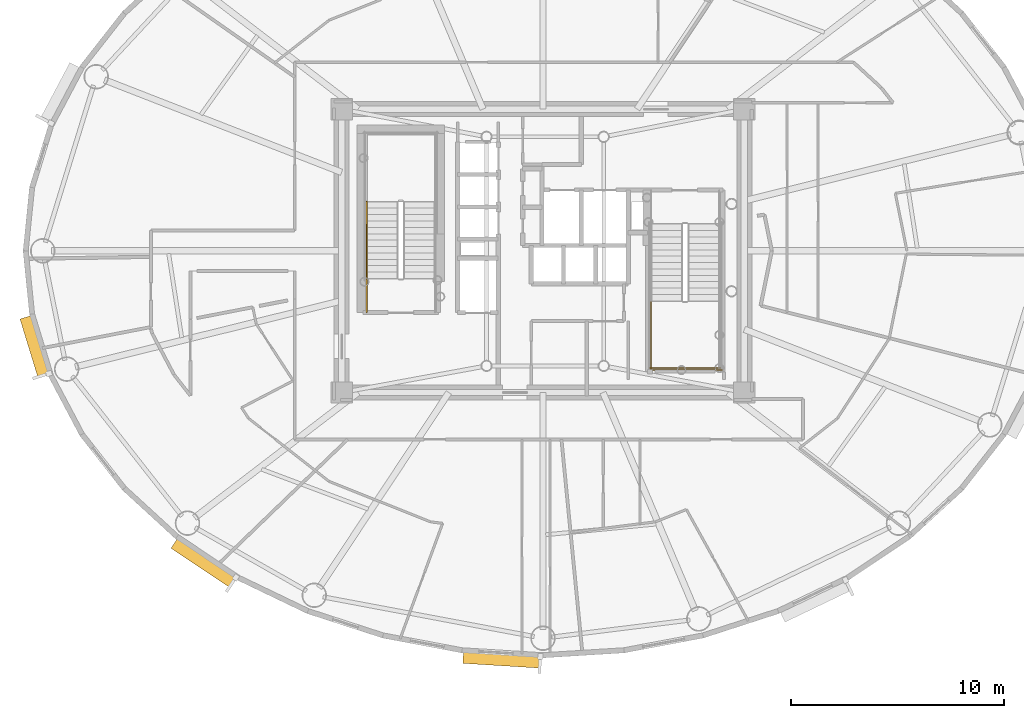
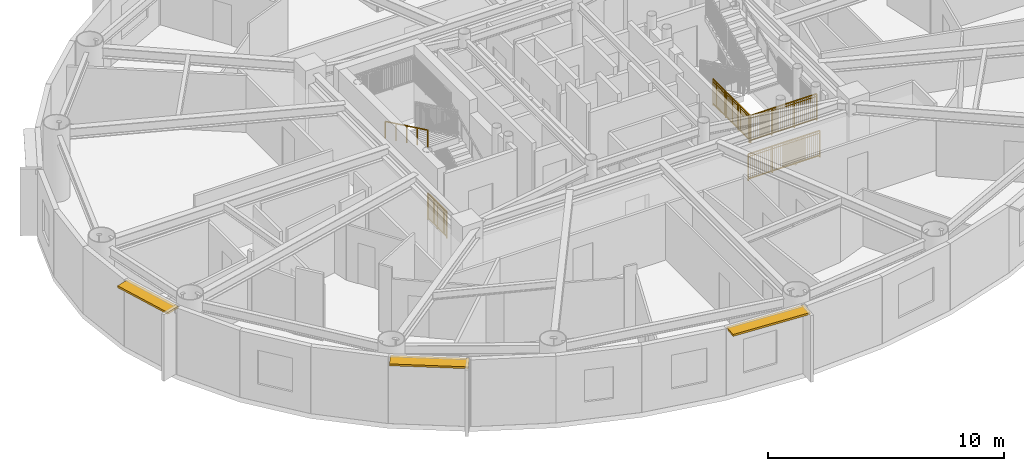
# One storey, part 12 of 18: 5 railings, 3 shading devices.
"""IFC4 building model written with IfcOpenShell, lengths in metres."""

from ifc_helpers import new_model, si_unit, direction, frame, origin, origin_2d, place, context, subcontext, project, spatial, rectangle, extrude, source, transform, mapped, material, layer, layer_set, type_object, element, save


model = new_model("IFC4")

# Units and contexts
model_context = context("Model", 3, precision=1e-05, world=origin(), true_north=direction((0.0, 1.0)))
body_context = subcontext(model_context, "Body", "Model", "MODEL_VIEW")
ifc_project = project(units=[si_unit("LENGTHUNIT", "METRE"), si_unit("AREAUNIT", "SQUARE_METRE"), si_unit("VOLUMEUNIT", "CUBIC_METRE"), si_unit("PLANEANGLEUNIT", "RADIAN"), si_unit("MASSUNIT", "GRAM", prefix="KILO")], contexts=[model_context])

# Site, building, storey
site_placement = place(None, origin())
site = spatial("IfcSite", under=ifc_project, at=site_placement, CompositionType="ELEMENT")
building_placement = place(site_placement, origin())
building = spatial("IfcBuilding", under=site, at=building_placement, Name="Linh Dai School and Residence Tower", CompositionType="ELEMENT")
storey_placement = place(building_placement, frame((0.0, 0.0, 259.050048828125)))
storey = spatial("IfcBuildingStorey", under=building, at=storey_placement, Name="L64", CompositionType="ELEMENT", Elevation=259.050048828125)

# Shading devices
ifc_material_1 = material(Name="Terracotta Ceramic Sunshade", Category="masonry")
ifc_layer = layer(ifc_material_1, 0.10009765625)
ifc_layer_set = layer_set([ifc_layer], Name="Terracotta Ceramic Sunshade")
shading_device_type = type_object("IfcShadingDeviceType", Name="SHD-TC-650", PredefinedType="USERDEFINED", material=ifc_layer_set)
shared_shape_1 = source(origin(), body_context, "Body", "SweptSolid", [
    extrude(rectangle(XDim=2.90380859375, YDim=0.64990234375, at=origin_2d()), origin(), (0.0, 0.0, 1.0), 0.10009765625),
])
shading_device_1_placement = place(storey_placement, frame((12.19384765625, 22.506591796875, 3.329833984375), z_axis=(0.0, 0.0, 1.0), x_axis=(-0.2931574026, 0.956064190994, 0.0)))
element("IfcShadingDevice", 1, at=shading_device_1_placement, inside=storey, type_object=shading_device_type, Name="L64 Terracotta Horizontal Sunshade Band 22", ObjectType="SUNSHADE", PredefinedType="USERDEFINED", context=body_context, shape_type="MappedRepresentation", body=[
    mapped(shared_shape_1, transform((0.0, 0.0, 0.0), x_axis=(1.0, 0.0, 0.0), y_axis=(0.0, 1.0, 0.0), z_axis=(0.0, 0.0, 1.0), scale=1.0)),
])
shared_shape_2 = source(origin(), body_context, "Body", "SweptSolid", [
    extrude(rectangle(XDim=3.3447265625, YDim=0.64990234375, at=origin_2d()), origin(), (0.0, 0.0, 1.0), 0.10009765625),
])
shading_device_2_placement = place(storey_placement, frame((20.11328125, 12.3837890625, 3.329833984375), z_axis=(0.0, 0.0, 1.0), x_axis=(-0.831257719597, 0.555887222025, 0.0)))
element("IfcShadingDevice", 2, at=shading_device_2_placement, inside=storey, type_object=shading_device_type, Name="L64 Terracotta Horizontal Sunshade Band 26", ObjectType="SUNSHADE", PredefinedType="USERDEFINED", context=body_context, shape_type="MappedRepresentation", body=[
    mapped(shared_shape_2, transform((0.0, 0.0, 0.0), x_axis=(1.0, 0.0, 0.0), y_axis=(0.0, 1.0, 0.0), z_axis=(0.0, 0.0, 1.0), scale=1.0)),
])
shared_shape_3 = source(origin(), body_context, "Body", "SweptSolid", [
    extrude(rectangle(XDim=3.656494140625, YDim=0.64990234375, at=origin_2d()), origin(), (0.0, 0.0, 1.0), 0.10009765625),
])
shading_device_3_placement = place(storey_placement, frame((34.08154296875, 7.852783203125, 3.329833984375), z_axis=(0.0, 0.0, 1.0), x_axis=(-0.998106809974, 0.061504437922, 0.0)))
element("IfcShadingDevice", 3, at=shading_device_3_placement, inside=storey, type_object=shading_device_type, Name="L64 Terracotta Horizontal Sunshade Band 30", ObjectType="SUNSHADE", PredefinedType="USERDEFINED", context=body_context, shape_type="MappedRepresentation", body=[
    mapped(shared_shape_3, transform((0.0, 0.0, 0.0), x_axis=(1.0, 0.0, 0.0), y_axis=(0.0, 1.0, 0.0), z_axis=(0.0, 0.0, 1.0), scale=1.0)),
])

# Railings
ifc_material_2 = material(Name="Structural Steel S355JR", Category="steel")
railing_type_1 = type_object("IfcRailingType", Name="RL-ST-GUARD-1400", PredefinedType="GUARDRAIL", material=ifc_material_2)
shared_shape_4 = source(origin(), body_context, "Body", "SweptSolid", [
    extrude(rectangle(XDim=0.048095703125, YDim=0.048095703125, at=origin_2d()), frame((0.0, 0.0, 1.3759765625), z_axis=(0.0, 1.0, 0.0), x_axis=(-1.0, 0.0, 0.0)), (0.0, 0.0, 1.0), 1.599853515625),
    extrude(rectangle(XDim=0.048095703125, YDim=0.048095703125, at=origin_2d()), frame((0.0, 0.0, 0.10009765625), z_axis=(0.0, 1.0, 0.0), x_axis=(-1.0, 0.0, 0.0)), (0.0, 0.0, 1.0), 1.599853515625),
    extrude(rectangle(XDim=0.030029296875, YDim=0.030029296875, at=origin_2d()), frame((0.0, 0.0, 1.239990234375), z_axis=(0.0, 1.0, 0.0), x_axis=(-1.0, 0.0, 0.0)), (0.0, 0.0, 1.0), 1.599853515625),
    extrude(rectangle(XDim=0.02001953125, YDim=0.02001953125, at=origin_2d()), frame((0.0, 0.093994140625, 0.10009765625)), (0.0, 0.0, 1.0), 1.251708984375),
    extrude(rectangle(XDim=0.02001953125, YDim=0.02001953125, at=origin_2d()), frame((0.0, 0.188232421875, 0.10009765625)), (0.0, 0.0, 1.0), 1.251708984375),
    extrude(rectangle(XDim=0.02001953125, YDim=0.02001953125, at=origin_2d()), frame((0.0, 0.2822265625, 0.10009765625)), (0.0, 0.0, 1.0), 1.251708984375),
    extrude(rectangle(XDim=0.02001953125, YDim=0.02001953125, at=origin_2d()), frame((0.0, 0.37646484375, 0.10009765625)), (0.0, 0.0, 1.0), 1.251708984375),
    extrude(rectangle(XDim=0.02001953125, YDim=0.02001953125, at=origin_2d()), frame((0.0, 0.470458984375, 0.10009765625)), (0.0, 0.0, 1.0), 1.251708984375),
    extrude(rectangle(XDim=0.02001953125, YDim=0.02001953125, at=origin_2d()), frame((0.0, 0.564697265625, 0.10009765625)), (0.0, 0.0, 1.0), 1.251708984375),
    extrude(rectangle(XDim=0.02001953125, YDim=0.02001953125, at=origin_2d()), frame((0.0, 0.65869140625, 0.10009765625)), (0.0, 0.0, 1.0), 1.251708984375),
    extrude(rectangle(XDim=0.02001953125, YDim=0.02001953125, at=origin_2d()), frame((0.0, 0.7529296875, 0.10009765625)), (0.0, 0.0, 1.0), 1.251708984375),
    extrude(rectangle(XDim=0.02001953125, YDim=0.02001953125, at=origin_2d()), frame((0.0, 0.846923828125, 0.10009765625)), (0.0, 0.0, 1.0), 1.251708984375),
    extrude(rectangle(XDim=0.02001953125, YDim=0.02001953125, at=origin_2d()), frame((0.0, 0.941162109375, 0.10009765625)), (0.0, 0.0, 1.0), 1.251708984375),
    extrude(rectangle(XDim=0.02001953125, YDim=0.02001953125, at=origin_2d()), frame((0.0, 1.03515625, 0.10009765625)), (0.0, 0.0, 1.0), 1.251708984375),
    extrude(rectangle(XDim=0.02001953125, YDim=0.02001953125, at=origin_2d()), frame((0.0, 1.12939453125, 0.10009765625)), (0.0, 0.0, 1.0), 1.251708984375),
    extrude(rectangle(XDim=0.02001953125, YDim=0.02001953125, at=origin_2d()), frame((0.0, 1.223388671875, 0.10009765625)), (0.0, 0.0, 1.0), 1.251708984375),
    extrude(rectangle(XDim=0.02001953125, YDim=0.02001953125, at=origin_2d()), frame((0.0, 1.317626953125, 0.10009765625)), (0.0, 0.0, 1.0), 1.251708984375),
    extrude(rectangle(XDim=0.02001953125, YDim=0.02001953125, at=origin_2d()), frame((0.0, 1.41162109375, 0.10009765625)), (0.0, 0.0, 1.0), 1.251708984375),
    extrude(rectangle(XDim=0.02001953125, YDim=0.02001953125, at=origin_2d()), frame((0.0, 1.505859375, 0.10009765625)), (0.0, 0.0, 1.0), 1.251708984375),
    extrude(rectangle(XDim=0.0419921875, YDim=0.0419921875, at=origin_2d()), origin(), (0.0, 0.0, 1.0), 1.3759765625),
    extrude(rectangle(XDim=0.0419921875, YDim=0.0419921875, at=origin_2d()), frame((0.0, 0.7998046875, 0.0)), (0.0, 0.0, 1.0), 1.3759765625),
    extrude(rectangle(XDim=0.0419921875, YDim=0.0419921875, at=origin_2d()), frame((0.0, 1.599853515625, 0.0)), (0.0, 0.0, 1.0), 1.3759765625),
])
railing_1_placement = place(storey_placement, frame((27.72998046875, 24.10009765625, 0.0)))
element("IfcRailing", 4, at=railing_1_placement, inside=storey, type_object=railing_type_1, Name="L64 ST1 stair guard 9", PredefinedType="GUARDRAIL", context=body_context, shape_type="MappedRepresentation", body=[
    mapped(shared_shape_4, transform((0.0, 0.0, 0.0), x_axis=(1.0, 0.0, 0.0), y_axis=(0.0, 1.0, 0.0), z_axis=(0.0, 0.0, 1.0), scale=1.0)),
])
ifc_material_3 = material(Name="Brushed Stainless Steel Handrail", Category="steel")
railing_type_2 = type_object("IfcRailingType", Name="RL-ST-HANDRAIL-900", PredefinedType="HANDRAIL", material=ifc_material_3)
shared_shape_5 = source(origin(), body_context, "Body", "SweptSolid", [
    extrude(rectangle(XDim=0.048095703125, YDim=0.048095703125, at=origin_2d()), frame((0.0, 0.0, 0.8759765625), z_axis=(0.0, -0.901262522062, 0.433273431364), x_axis=(1.0, 0.0, 0.0)), (0.0, 0.0, 1.0), 3.994384765625),
    extrude(rectangle(XDim=0.0419921875, YDim=0.0419921875, at=origin_2d()), origin(), (0.0, 0.0, 1.0), 0.8759765625),
    extrude(rectangle(XDim=0.0419921875, YDim=0.0419921875, at=origin_2d()), frame((0.0, -0.89990234375, 0.4326171875)), (0.0, 0.0, 1.0), 0.8759765625),
    extrude(rectangle(XDim=0.0419921875, YDim=0.0419921875, at=origin_2d()), frame((0.0, -1.800048828125, 0.865234375)), (0.0, 0.0, 1.0), 0.8759765625),
    extrude(rectangle(XDim=0.0419921875, YDim=0.0419921875, at=origin_2d()), frame((0.0, -2.7001953125, 1.298095703125)), (0.0, 0.0, 1.0), 0.8759765625),
    extrude(rectangle(XDim=0.0419921875, YDim=0.0419921875, at=origin_2d()), frame((0.0, -3.60009765625, 1.730712890625)), (0.0, 0.0, 1.0), 0.8759765625),
])
railing_2_placement = place(storey_placement, frame((27.72998046875, 29.300048828125, 2.019287109375)))
element("IfcRailing", 5, at=railing_2_placement, inside=storey, type_object=railing_type_2, Name="L64 ST1 stair handrail 2", PredefinedType="HANDRAIL", context=body_context, shape_type="MappedRepresentation", body=[
    mapped(shared_shape_5, transform((0.0, 0.0, 0.0), x_axis=(1.0, 0.0, 0.0), y_axis=(0.0, 1.0, 0.0), z_axis=(0.0, 0.0, 1.0), scale=1.0)),
])
shared_shape_6 = source(origin(), body_context, "Body", "SweptSolid", [
    extrude(rectangle(XDim=0.048095703125, YDim=0.048095703125, at=origin_2d()), frame((0.0, 0.0, 1.3759765625), z_axis=(1.0, 0.0, 0.0), x_axis=(0.0, 1.0, 0.0)), (0.0, 0.0, 1.0), 3.300048828125),
    extrude(rectangle(XDim=0.048095703125, YDim=0.048095703125, at=origin_2d()), frame((0.0, 0.0, 0.10009765625), z_axis=(1.0, 0.0, 0.0), x_axis=(0.0, 1.0, 0.0)), (0.0, 0.0, 1.0), 3.300048828125),
    extrude(rectangle(XDim=0.030029296875, YDim=0.030029296875, at=origin_2d()), frame((0.0, 0.0, 1.239990234375), z_axis=(1.0, 0.0, 0.0), x_axis=(0.0, 1.0, 0.0)), (0.0, 0.0, 1.0), 3.300048828125),
    extrude(rectangle(XDim=0.02001953125, YDim=0.02001953125, at=origin_2d()), frame((0.09716796875, 0.0, 0.10009765625)), (0.0, 0.0, 1.0), 1.251708984375),
    extrude(rectangle(XDim=0.02001953125, YDim=0.02001953125, at=origin_2d()), frame((0.194091796875, 0.0, 0.10009765625)), (0.0, 0.0, 1.0), 1.251708984375),
    extrude(rectangle(XDim=0.02001953125, YDim=0.02001953125, at=origin_2d()), frame((0.291259765625, 0.0, 0.10009765625)), (0.0, 0.0, 1.0), 1.251708984375),
    extrude(rectangle(XDim=0.02001953125, YDim=0.02001953125, at=origin_2d()), frame((0.38818359375, 0.0, 0.10009765625)), (0.0, 0.0, 1.0), 1.251708984375),
    extrude(rectangle(XDim=0.02001953125, YDim=0.02001953125, at=origin_2d()), frame((0.4853515625, 0.0, 0.10009765625)), (0.0, 0.0, 1.0), 1.251708984375),
    extrude(rectangle(XDim=0.02001953125, YDim=0.02001953125, at=origin_2d()), frame((0.582275390625, 0.0, 0.10009765625)), (0.0, 0.0, 1.0), 1.251708984375),
    extrude(rectangle(XDim=0.02001953125, YDim=0.02001953125, at=origin_2d()), frame((0.679443359375, 0.0, 0.10009765625)), (0.0, 0.0, 1.0), 1.251708984375),
    extrude(rectangle(XDim=0.02001953125, YDim=0.02001953125, at=origin_2d()), frame((0.7763671875, 0.0, 0.10009765625)), (0.0, 0.0, 1.0), 1.251708984375),
    extrude(rectangle(XDim=0.02001953125, YDim=0.02001953125, at=origin_2d()), frame((0.87353515625, 0.0, 0.10009765625)), (0.0, 0.0, 1.0), 1.251708984375),
    extrude(rectangle(XDim=0.02001953125, YDim=0.02001953125, at=origin_2d()), frame((0.970703125, 0.0, 0.10009765625)), (0.0, 0.0, 1.0), 1.251708984375),
    extrude(rectangle(XDim=0.02001953125, YDim=0.02001953125, at=origin_2d()), frame((1.164794921875, 0.0, 0.10009765625)), (0.0, 0.0, 1.0), 1.251708984375),
    extrude(rectangle(XDim=0.02001953125, YDim=0.02001953125, at=origin_2d()), frame((1.26171875, 0.0, 0.10009765625)), (0.0, 0.0, 1.0), 1.251708984375),
    extrude(rectangle(XDim=0.02001953125, YDim=0.02001953125, at=origin_2d()), frame((1.35888671875, 0.0, 0.10009765625)), (0.0, 0.0, 1.0), 1.251708984375),
    extrude(rectangle(XDim=0.02001953125, YDim=0.02001953125, at=origin_2d()), frame((1.455810546875, 0.0, 0.10009765625)), (0.0, 0.0, 1.0), 1.251708984375),
    extrude(rectangle(XDim=0.02001953125, YDim=0.02001953125, at=origin_2d()), frame((1.552978515625, 0.0, 0.10009765625)), (0.0, 0.0, 1.0), 1.251708984375),
    extrude(rectangle(XDim=0.02001953125, YDim=0.02001953125, at=origin_2d()), frame((1.64990234375, 0.0, 0.10009765625)), (0.0, 0.0, 1.0), 1.251708984375),
    extrude(rectangle(XDim=0.02001953125, YDim=0.02001953125, at=origin_2d()), frame((1.7470703125, 0.0, 0.10009765625)), (0.0, 0.0, 1.0), 1.251708984375),
    extrude(rectangle(XDim=0.02001953125, YDim=0.02001953125, at=origin_2d()), frame((1.84423828125, 0.0, 0.10009765625)), (0.0, 0.0, 1.0), 1.251708984375),
    extrude(rectangle(XDim=0.02001953125, YDim=0.02001953125, at=origin_2d()), frame((1.941162109375, 0.0, 0.10009765625)), (0.0, 0.0, 1.0), 1.251708984375),
    extrude(rectangle(XDim=0.02001953125, YDim=0.02001953125, at=origin_2d()), frame((2.038330078125, 0.0, 0.10009765625)), (0.0, 0.0, 1.0), 1.251708984375),
    extrude(rectangle(XDim=0.02001953125, YDim=0.02001953125, at=origin_2d()), frame((2.13525390625, 0.0, 0.10009765625)), (0.0, 0.0, 1.0), 1.251708984375),
    extrude(rectangle(XDim=0.02001953125, YDim=0.02001953125, at=origin_2d()), frame((2.329345703125, 0.0, 0.10009765625)), (0.0, 0.0, 1.0), 1.251708984375),
    extrude(rectangle(XDim=0.02001953125, YDim=0.02001953125, at=origin_2d()), frame((2.426513671875, 0.0, 0.10009765625)), (0.0, 0.0, 1.0), 1.251708984375),
    extrude(rectangle(XDim=0.02001953125, YDim=0.02001953125, at=origin_2d()), frame((2.523681640625, 0.0, 0.10009765625)), (0.0, 0.0, 1.0), 1.251708984375),
    extrude(rectangle(XDim=0.02001953125, YDim=0.02001953125, at=origin_2d()), frame((2.62060546875, 0.0, 0.10009765625)), (0.0, 0.0, 1.0), 1.251708984375),
    extrude(rectangle(XDim=0.02001953125, YDim=0.02001953125, at=origin_2d()), frame((2.7177734375, 0.0, 0.10009765625)), (0.0, 0.0, 1.0), 1.251708984375),
    extrude(rectangle(XDim=0.02001953125, YDim=0.02001953125, at=origin_2d()), frame((2.814697265625, 0.0, 0.10009765625)), (0.0, 0.0, 1.0), 1.251708984375),
    extrude(rectangle(XDim=0.02001953125, YDim=0.02001953125, at=origin_2d()), frame((2.911865234375, 0.0, 0.10009765625)), (0.0, 0.0, 1.0), 1.251708984375),
    extrude(rectangle(XDim=0.02001953125, YDim=0.02001953125, at=origin_2d()), frame((3.0087890625, 0.0, 0.10009765625)), (0.0, 0.0, 1.0), 1.251708984375),
    extrude(rectangle(XDim=0.02001953125, YDim=0.02001953125, at=origin_2d()), frame((3.10595703125, 0.0, 0.10009765625)), (0.0, 0.0, 1.0), 1.251708984375),
    extrude(rectangle(XDim=0.02001953125, YDim=0.02001953125, at=origin_2d()), frame((3.202880859375, 0.0, 0.10009765625)), (0.0, 0.0, 1.0), 1.251708984375),
    extrude(rectangle(XDim=0.0419921875, YDim=0.0419921875, at=origin_2d()), origin(), (0.0, 0.0, 1.0), 1.3759765625),
    extrude(rectangle(XDim=0.0419921875, YDim=0.0419921875, at=origin_2d()), frame((1.10009765625, 0.0, 0.0)), (0.0, 0.0, 1.0), 1.3759765625),
    extrude(rectangle(XDim=0.0419921875, YDim=0.0419921875, at=origin_2d()), frame((2.199951171875, 0.0, 0.0)), (0.0, 0.0, 1.0), 1.3759765625),
    extrude(rectangle(XDim=0.0419921875, YDim=0.0419921875, at=origin_2d()), frame((3.300048828125, 0.0, 0.0)), (0.0, 0.0, 1.0), 1.3759765625),
])
railing_3_placement = place(storey_placement, frame((41.02001953125, 21.5, 1.875)))
element("IfcRailing", 6, at=railing_3_placement, inside=storey, type_object=railing_type_1, Name="L64 ST2 stair guard 5", PredefinedType="GUARDRAIL", context=body_context, shape_type="MappedRepresentation", body=[
    mapped(shared_shape_6, transform((0.0, 0.0, 0.0), x_axis=(1.0, 0.0, 0.0), y_axis=(0.0, 1.0, 0.0), z_axis=(0.0, 0.0, 1.0), scale=1.0)),
])
shared_shape_7 = source(origin(), body_context, "Body", "SweptSolid", [
    extrude(rectangle(XDim=0.048095703125, YDim=0.048095703125, at=origin_2d()), frame((0.0, 0.0, 1.3759765625), z_axis=(1.0, 0.0, 0.0), x_axis=(0.0, 1.0, 0.0)), (0.0, 0.0, 1.0), 3.5),
    extrude(rectangle(XDim=0.048095703125, YDim=0.048095703125, at=origin_2d()), frame((0.0, 0.0, 0.10009765625), z_axis=(1.0, 0.0, 0.0), x_axis=(0.0, 1.0, 0.0)), (0.0, 0.0, 1.0), 3.5),
    extrude(rectangle(XDim=0.030029296875, YDim=0.030029296875, at=origin_2d()), frame((0.0, 0.0, 1.239990234375), z_axis=(1.0, 0.0, 0.0), x_axis=(0.0, 1.0, 0.0)), (0.0, 0.0, 1.0), 3.5),
    extrude(rectangle(XDim=0.02001953125, YDim=0.02001953125, at=origin_2d()), frame((0.09716796875, 0.0, 0.10009765625)), (0.0, 0.0, 1.0), 1.251708984375),
    extrude(rectangle(XDim=0.02001953125, YDim=0.02001953125, at=origin_2d()), frame((0.1943359375, 0.0, 0.10009765625)), (0.0, 0.0, 1.0), 1.251708984375),
    extrude(rectangle(XDim=0.02001953125, YDim=0.02001953125, at=origin_2d()), frame((0.291748046875, 0.0, 0.10009765625)), (0.0, 0.0, 1.0), 1.251708984375),
    extrude(rectangle(XDim=0.02001953125, YDim=0.02001953125, at=origin_2d()), frame((0.388916015625, 0.0, 0.10009765625)), (0.0, 0.0, 1.0), 1.251708984375),
    extrude(rectangle(XDim=0.02001953125, YDim=0.02001953125, at=origin_2d()), frame((0.486083984375, 0.0, 0.10009765625)), (0.0, 0.0, 1.0), 1.251708984375),
    extrude(rectangle(XDim=0.02001953125, YDim=0.02001953125, at=origin_2d()), frame((0.583251953125, 0.0, 0.10009765625)), (0.0, 0.0, 1.0), 1.251708984375),
    extrude(rectangle(XDim=0.02001953125, YDim=0.02001953125, at=origin_2d()), frame((0.6806640625, 0.0, 0.10009765625)), (0.0, 0.0, 1.0), 1.251708984375),
    extrude(rectangle(XDim=0.02001953125, YDim=0.02001953125, at=origin_2d()), frame((0.77783203125, 0.0, 0.10009765625)), (0.0, 0.0, 1.0), 1.251708984375),
    extrude(rectangle(XDim=0.02001953125, YDim=0.02001953125, at=origin_2d()), frame((0.875, 0.0, 0.10009765625)), (0.0, 0.0, 1.0), 1.251708984375),
    extrude(rectangle(XDim=0.02001953125, YDim=0.02001953125, at=origin_2d()), frame((0.97216796875, 0.0, 0.10009765625)), (0.0, 0.0, 1.0), 1.251708984375),
    extrude(rectangle(XDim=0.02001953125, YDim=0.02001953125, at=origin_2d()), frame((1.0693359375, 0.0, 0.10009765625)), (0.0, 0.0, 1.0), 1.251708984375),
    extrude(rectangle(XDim=0.02001953125, YDim=0.02001953125, at=origin_2d()), frame((1.263916015625, 0.0, 0.10009765625)), (0.0, 0.0, 1.0), 1.251708984375),
    extrude(rectangle(XDim=0.02001953125, YDim=0.02001953125, at=origin_2d()), frame((1.361083984375, 0.0, 0.10009765625)), (0.0, 0.0, 1.0), 1.251708984375),
    extrude(rectangle(XDim=0.02001953125, YDim=0.02001953125, at=origin_2d()), frame((1.458251953125, 0.0, 0.10009765625)), (0.0, 0.0, 1.0), 1.251708984375),
    extrude(rectangle(XDim=0.02001953125, YDim=0.02001953125, at=origin_2d()), frame((1.5556640625, 0.0, 0.10009765625)), (0.0, 0.0, 1.0), 1.251708984375),
    extrude(rectangle(XDim=0.02001953125, YDim=0.02001953125, at=origin_2d()), frame((1.65283203125, 0.0, 0.10009765625)), (0.0, 0.0, 1.0), 1.251708984375),
    extrude(rectangle(XDim=0.02001953125, YDim=0.02001953125, at=origin_2d()), frame((1.75, 0.0, 0.10009765625)), (0.0, 0.0, 1.0), 1.251708984375),
    extrude(rectangle(XDim=0.02001953125, YDim=0.02001953125, at=origin_2d()), frame((1.84716796875, 0.0, 0.10009765625)), (0.0, 0.0, 1.0), 1.251708984375),
    extrude(rectangle(XDim=0.02001953125, YDim=0.02001953125, at=origin_2d()), frame((1.9443359375, 0.0, 0.10009765625)), (0.0, 0.0, 1.0), 1.251708984375),
    extrude(rectangle(XDim=0.02001953125, YDim=0.02001953125, at=origin_2d()), frame((2.041748046875, 0.0, 0.10009765625)), (0.0, 0.0, 1.0), 1.251708984375),
    extrude(rectangle(XDim=0.02001953125, YDim=0.02001953125, at=origin_2d()), frame((2.138916015625, 0.0, 0.10009765625)), (0.0, 0.0, 1.0), 1.251708984375),
    extrude(rectangle(XDim=0.02001953125, YDim=0.02001953125, at=origin_2d()), frame((2.236083984375, 0.0, 0.10009765625)), (0.0, 0.0, 1.0), 1.251708984375),
    extrude(rectangle(XDim=0.02001953125, YDim=0.02001953125, at=origin_2d()), frame((2.4306640625, 0.0, 0.10009765625)), (0.0, 0.0, 1.0), 1.251708984375),
    extrude(rectangle(XDim=0.02001953125, YDim=0.02001953125, at=origin_2d()), frame((2.52783203125, 0.0, 0.10009765625)), (0.0, 0.0, 1.0), 1.251708984375),
    extrude(rectangle(XDim=0.02001953125, YDim=0.02001953125, at=origin_2d()), frame((2.625, 0.0, 0.10009765625)), (0.0, 0.0, 1.0), 1.251708984375),
    extrude(rectangle(XDim=0.02001953125, YDim=0.02001953125, at=origin_2d()), frame((2.72216796875, 0.0, 0.10009765625)), (0.0, 0.0, 1.0), 1.251708984375),
    extrude(rectangle(XDim=0.02001953125, YDim=0.02001953125, at=origin_2d()), frame((2.8193359375, 0.0, 0.10009765625)), (0.0, 0.0, 1.0), 1.251708984375),
    extrude(rectangle(XDim=0.02001953125, YDim=0.02001953125, at=origin_2d()), frame((2.916748046875, 0.0, 0.10009765625)), (0.0, 0.0, 1.0), 1.251708984375),
    extrude(rectangle(XDim=0.02001953125, YDim=0.02001953125, at=origin_2d()), frame((3.013916015625, 0.0, 0.10009765625)), (0.0, 0.0, 1.0), 1.251708984375),
    extrude(rectangle(XDim=0.02001953125, YDim=0.02001953125, at=origin_2d()), frame((3.111083984375, 0.0, 0.10009765625)), (0.0, 0.0, 1.0), 1.251708984375),
    extrude(rectangle(XDim=0.02001953125, YDim=0.02001953125, at=origin_2d()), frame((3.208251953125, 0.0, 0.10009765625)), (0.0, 0.0, 1.0), 1.251708984375),
    extrude(rectangle(XDim=0.02001953125, YDim=0.02001953125, at=origin_2d()), frame((3.3056640625, 0.0, 0.10009765625)), (0.0, 0.0, 1.0), 1.251708984375),
    extrude(rectangle(XDim=0.02001953125, YDim=0.02001953125, at=origin_2d()), frame((3.40283203125, 0.0, 0.10009765625)), (0.0, 0.0, 1.0), 1.251708984375),
    extrude(rectangle(XDim=0.0419921875, YDim=0.0419921875, at=origin_2d()), origin(), (0.0, 0.0, 1.0), 1.3759765625),
    extrude(rectangle(XDim=0.0419921875, YDim=0.0419921875, at=origin_2d()), frame((1.166748046875, 0.0, 0.0)), (0.0, 0.0, 1.0), 1.3759765625),
    extrude(rectangle(XDim=0.0419921875, YDim=0.0419921875, at=origin_2d()), frame((2.333251953125, 0.0, 0.0)), (0.0, 0.0, 1.0), 1.3759765625),
    extrude(rectangle(XDim=0.0419921875, YDim=0.0419921875, at=origin_2d()), frame((3.5, 0.0, 0.0)), (0.0, 0.0, 1.0), 1.3759765625),
])
railing_4_placement = place(storey_placement, frame((40.919921875, 21.39990234375, 0.0)))
element("IfcRailing", 7, at=railing_4_placement, inside=storey, type_object=railing_type_1, Name="L64 ST2 stair guard 12", PredefinedType="GUARDRAIL", context=body_context, shape_type="MappedRepresentation", body=[
    mapped(shared_shape_7, transform((0.0, 0.0, 0.0), x_axis=(1.0, 0.0, 0.0), y_axis=(0.0, 1.0, 0.0), z_axis=(0.0, 0.0, 1.0), scale=1.0)),
])
shared_shape_8 = source(origin(), body_context, "Body", "SweptSolid", [
    extrude(rectangle(XDim=0.048095703125, YDim=0.048095703125, at=origin_2d()), frame((0.0, 0.0, 1.3759765625), z_axis=(0.0, -1.0, 0.0), x_axis=(1.0, 0.0, 0.0)), (0.0, 0.0, 1.0), 3.199951171875),
    extrude(rectangle(XDim=0.048095703125, YDim=0.048095703125, at=origin_2d()), frame((0.0, 0.0, 0.10009765625), z_axis=(0.0, -1.0, 0.0), x_axis=(1.0, 0.0, 0.0)), (0.0, 0.0, 1.0), 3.199951171875),
    extrude(rectangle(XDim=0.030029296875, YDim=0.030029296875, at=origin_2d()), frame((0.0, 0.0, 1.239990234375), z_axis=(0.0, -1.0, 0.0), x_axis=(1.0, 0.0, 0.0)), (0.0, 0.0, 1.0), 3.199951171875),
    extrude(rectangle(XDim=0.02001953125, YDim=0.02001953125, at=origin_2d()), frame((0.0, -0.096923828125, 0.10009765625)), (0.0, 0.0, 1.0), 1.251708984375),
    extrude(rectangle(XDim=0.02001953125, YDim=0.02001953125, at=origin_2d()), frame((0.0, -0.19384765625, 0.10009765625)), (0.0, 0.0, 1.0), 1.251708984375),
    extrude(rectangle(XDim=0.02001953125, YDim=0.02001953125, at=origin_2d()), frame((0.0, -0.291015625, 0.10009765625)), (0.0, 0.0, 1.0), 1.251708984375),
    extrude(rectangle(XDim=0.02001953125, YDim=0.02001953125, at=origin_2d()), frame((0.0, -0.387939453125, 0.10009765625)), (0.0, 0.0, 1.0), 1.251708984375),
    extrude(rectangle(XDim=0.02001953125, YDim=0.02001953125, at=origin_2d()), frame((0.0, -0.48486328125, 0.10009765625)), (0.0, 0.0, 1.0), 1.251708984375),
    extrude(rectangle(XDim=0.02001953125, YDim=0.02001953125, at=origin_2d()), frame((0.0, -0.581787109375, 0.10009765625)), (0.0, 0.0, 1.0), 1.251708984375),
    extrude(rectangle(XDim=0.02001953125, YDim=0.02001953125, at=origin_2d()), frame((0.0, -0.6787109375, 0.10009765625)), (0.0, 0.0, 1.0), 1.251708984375),
    extrude(rectangle(XDim=0.02001953125, YDim=0.02001953125, at=origin_2d()), frame((0.0, -0.775634765625, 0.10009765625)), (0.0, 0.0, 1.0), 1.251708984375),
    extrude(rectangle(XDim=0.02001953125, YDim=0.02001953125, at=origin_2d()), frame((0.0, -0.872802734375, 0.10009765625)), (0.0, 0.0, 1.0), 1.251708984375),
    extrude(rectangle(XDim=0.02001953125, YDim=0.02001953125, at=origin_2d()), frame((0.0, -0.9697265625, 0.10009765625)), (0.0, 0.0, 1.0), 1.251708984375),
    extrude(rectangle(XDim=0.02001953125, YDim=0.02001953125, at=origin_2d()), frame((0.0, -1.16357421875, 0.10009765625)), (0.0, 0.0, 1.0), 1.251708984375),
    extrude(rectangle(XDim=0.02001953125, YDim=0.02001953125, at=origin_2d()), frame((0.0, -1.260498046875, 0.10009765625)), (0.0, 0.0, 1.0), 1.251708984375),
    extrude(rectangle(XDim=0.02001953125, YDim=0.02001953125, at=origin_2d()), frame((0.0, -1.357666015625, 0.10009765625)), (0.0, 0.0, 1.0), 1.251708984375),
    extrude(rectangle(XDim=0.02001953125, YDim=0.02001953125, at=origin_2d()), frame((0.0, -1.45458984375, 0.10009765625)), (0.0, 0.0, 1.0), 1.251708984375),
    extrude(rectangle(XDim=0.02001953125, YDim=0.02001953125, at=origin_2d()), frame((0.0, -1.551513671875, 0.10009765625)), (0.0, 0.0, 1.0), 1.251708984375),
    extrude(rectangle(XDim=0.02001953125, YDim=0.02001953125, at=origin_2d()), frame((0.0, -1.6484375, 0.10009765625)), (0.0, 0.0, 1.0), 1.251708984375),
    extrude(rectangle(XDim=0.02001953125, YDim=0.02001953125, at=origin_2d()), frame((0.0, -1.745361328125, 0.10009765625)), (0.0, 0.0, 1.0), 1.251708984375),
    extrude(rectangle(XDim=0.02001953125, YDim=0.02001953125, at=origin_2d()), frame((0.0, -1.84228515625, 0.10009765625)), (0.0, 0.0, 1.0), 1.251708984375),
    extrude(rectangle(XDim=0.02001953125, YDim=0.02001953125, at=origin_2d()), frame((0.0, -1.939453125, 0.10009765625)), (0.0, 0.0, 1.0), 1.251708984375),
    extrude(rectangle(XDim=0.02001953125, YDim=0.02001953125, at=origin_2d()), frame((0.0, -2.036376953125, 0.10009765625)), (0.0, 0.0, 1.0), 1.251708984375),
    extrude(rectangle(XDim=0.02001953125, YDim=0.02001953125, at=origin_2d()), frame((0.0, -2.230224609375, 0.10009765625)), (0.0, 0.0, 1.0), 1.251708984375),
    extrude(rectangle(XDim=0.02001953125, YDim=0.02001953125, at=origin_2d()), frame((0.0, -2.3271484375, 0.10009765625)), (0.0, 0.0, 1.0), 1.251708984375),
    extrude(rectangle(XDim=0.02001953125, YDim=0.02001953125, at=origin_2d()), frame((0.0, -2.42431640625, 0.10009765625)), (0.0, 0.0, 1.0), 1.251708984375),
    extrude(rectangle(XDim=0.02001953125, YDim=0.02001953125, at=origin_2d()), frame((0.0, -2.521240234375, 0.10009765625)), (0.0, 0.0, 1.0), 1.251708984375),
    extrude(rectangle(XDim=0.02001953125, YDim=0.02001953125, at=origin_2d()), frame((0.0, -2.6181640625, 0.10009765625)), (0.0, 0.0, 1.0), 1.251708984375),
    extrude(rectangle(XDim=0.02001953125, YDim=0.02001953125, at=origin_2d()), frame((0.0, -2.715087890625, 0.10009765625)), (0.0, 0.0, 1.0), 1.251708984375),
    extrude(rectangle(XDim=0.02001953125, YDim=0.02001953125, at=origin_2d()), frame((0.0, -2.81201171875, 0.10009765625)), (0.0, 0.0, 1.0), 1.251708984375),
    extrude(rectangle(XDim=0.02001953125, YDim=0.02001953125, at=origin_2d()), frame((0.0, -2.908935546875, 0.10009765625)), (0.0, 0.0, 1.0), 1.251708984375),
    extrude(rectangle(XDim=0.02001953125, YDim=0.02001953125, at=origin_2d()), frame((0.0, -3.006103515625, 0.10009765625)), (0.0, 0.0, 1.0), 1.251708984375),
    extrude(rectangle(XDim=0.02001953125, YDim=0.02001953125, at=origin_2d()), frame((0.0, -3.10302734375, 0.10009765625)), (0.0, 0.0, 1.0), 1.251708984375),
    extrude(rectangle(XDim=0.0419921875, YDim=0.0419921875, at=origin_2d()), origin(), (0.0, 0.0, 1.0), 1.3759765625),
    extrude(rectangle(XDim=0.0419921875, YDim=0.0419921875, at=origin_2d()), frame((0.0, -1.066650390625, 0.0)), (0.0, 0.0, 1.0), 1.3759765625),
    extrude(rectangle(XDim=0.0419921875, YDim=0.0419921875, at=origin_2d()), frame((0.0, -2.13330078125, 0.0)), (0.0, 0.0, 1.0), 1.3759765625),
    extrude(rectangle(XDim=0.0419921875, YDim=0.0419921875, at=origin_2d()), frame((0.0, -3.199951171875, 0.0)), (0.0, 0.0, 1.0), 1.3759765625),
])
railing_5_placement = place(storey_placement, frame((41.070068359375, 24.64990234375, 1.875)))
element("IfcRailing", 8, at=railing_5_placement, inside=storey, type_object=railing_type_1, Name="L64 ST2 stair guard 3", PredefinedType="GUARDRAIL", context=body_context, shape_type="MappedRepresentation", body=[
    mapped(shared_shape_8, transform((0.0, 0.0, 0.0), x_axis=(1.0, 0.0, 0.0), y_axis=(0.0, 1.0, 0.0), z_axis=(0.0, 0.0, 1.0), scale=1.0)),
])

save(model, "model.ifc")
